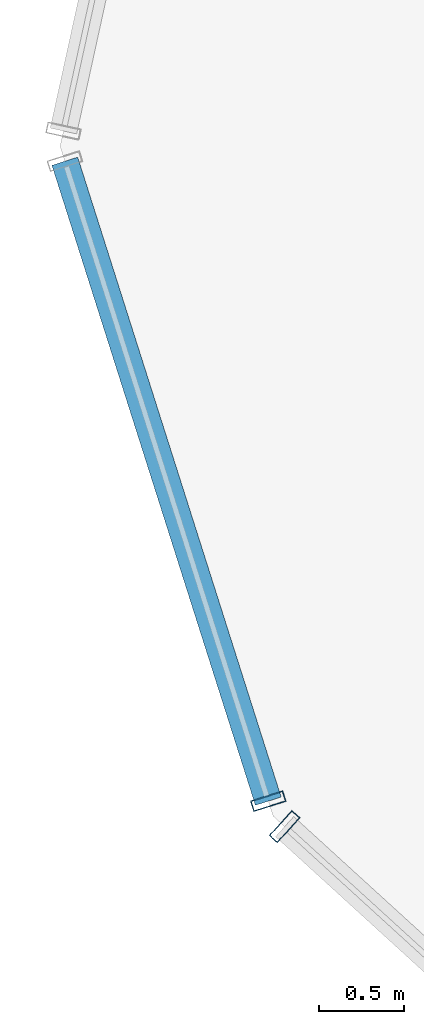
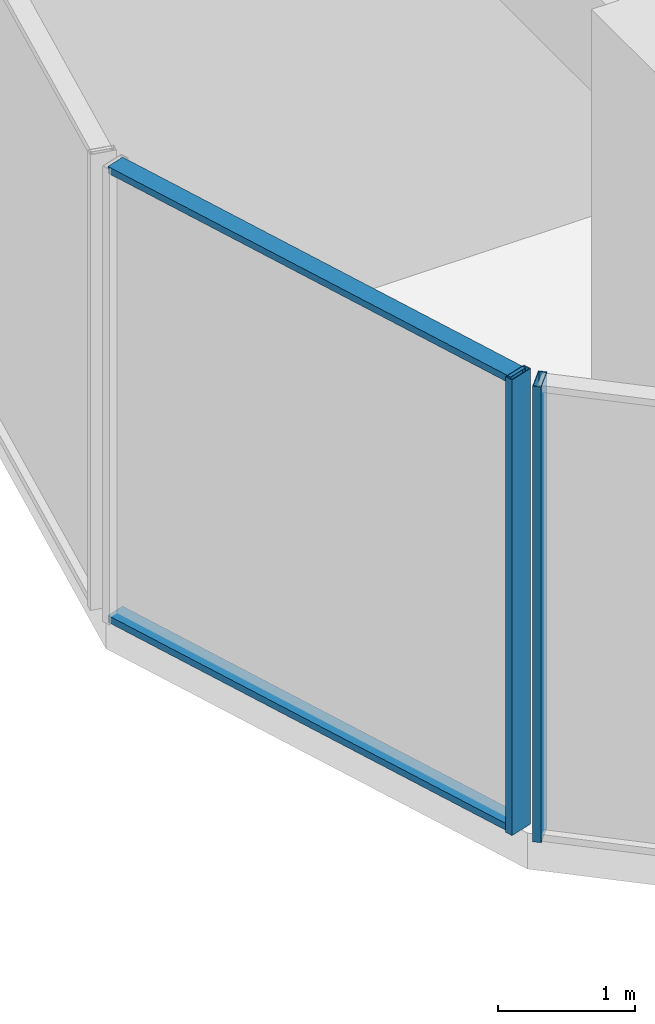
# One storey, part 5 of 28: 4 members, 2 elements without a shape of their own.
"""IFC4 building model written with IfcOpenShell, lengths in metres."""

import ifcopenshell
import ifcopenshell.guid

model = None  # the IFC model being written
_history = None  # IfcOwnerHistory: only IFC2X3 demands one
_inside = {}  # id of a spatial element -> (the spatial element, [elements in it])
_under = {}  # id of a project, library or spatial element -> (it, [spatial elements below it])
_declared = {}  # id of a project -> (the project, [libraries it declares])
_typed = {}  # id of a type object -> (the type object, [elements of that type])
_made_of = {}  # id of a material, layer set ... -> (it, [elements and type objects made of it])


def new_model(schema):
    """Start an empty IFC model of exactly this schema.

    Asked for "IFC4X3", IfcOpenShell would pick the latest addendum, in which some entities
    have other attributes; the version numbers below select the first issue.
    IFC2X3 requires an IfcOwnerHistory on every rooted entity: one is made here for all.
    """
    global model, _history
    if schema == "IFC4X3":
        model = ifcopenshell.file(schema_version=(4, 3, 0, 0))
    else:
        model = ifcopenshell.file(schema=schema)
    _inside.clear()
    _under.clear()
    _declared.clear()
    _typed.clear()
    _made_of.clear()
    _history = None
    if model.schema == "IFC2X3":
        org = make("IfcOrganization", Name="unknown")
        user = make(
            "IfcPersonAndOrganization",
            ThePerson=make("IfcPerson", FamilyName="unknown"),
            TheOrganization=org,
        )
        app = make(
            "IfcApplication",
            ApplicationDeveloper=org,
            Version="unknown",
            ApplicationFullName="unknown",
            ApplicationIdentifier="unknown",
        )
        _history = make(
            "IfcOwnerHistory",
            OwningUser=user,
            OwningApplication=app,
            ChangeAction="ADDED",
            CreationDate=0,
        )
    return model


def make(cls, **values):
    """One entity of the class cls with the attributes given. An attribute that is None is left unset."""
    return model.create_entity(
        cls, **{name: value for name, value in values.items() if value is not None}
    )


def rooted(cls, **values):
    """An entity with a GlobalId (a new one), such as an element, a storey or a relation."""
    return make(cls, GlobalId=ifcopenshell.guid.new(), OwnerHistory=_history, **values)


def si_unit(unit_type, name, prefix=None):
    """IfcSIUnit, for example si_unit("LENGTHUNIT", "METRE", prefix="MILLI")."""
    return make("IfcSIUnit", UnitType=unit_type, Prefix=prefix, Name=name)


def assignment(units):
    """IfcUnitAssignment: the units of a project."""
    return None if units is None else make("IfcUnitAssignment", Units=units)


def point(xyz):
    """IfcCartesianPoint."""
    return None if xyz is None else make("IfcCartesianPoint", Coordinates=xyz)


def direction(xyz):
    """IfcDirection."""
    return None if xyz is None else make("IfcDirection", DirectionRatios=xyz)


def frame(location, z_axis=None, x_axis=None):
    """IfcAxis2Placement3D, a coordinate frame: its origin and axes. An axis left out is left unset."""
    return make(
        "IfcAxis2Placement3D",
        Location=point(location),
        Axis=direction(z_axis),
        RefDirection=direction(x_axis),
    )


def frame_2d(location, x_axis=None):
    """IfcAxis2Placement2D, a coordinate frame in the plane: its origin and x axis."""
    return make(
        "IfcAxis2Placement2D", Location=point(location), RefDirection=direction(x_axis)
    )


def origin():
    """The frame at (0, 0, 0) with its axes left unset."""
    return frame((0.0, 0.0, 0.0))


def origin_2d():
    """The frame at (0, 0) in the plane with its x axis left unset."""
    return frame_2d((0.0, 0.0))


def place(relative_to, where):
    """IfcLocalPlacement: puts the frame where relative to a parent placement (None: the world)."""
    return make(
        "IfcLocalPlacement", PlacementRelTo=relative_to, RelativePlacement=where
    )


def context(
    kind, dimensions, precision=None, world=None, true_north=None, identifier=None
):
    """IfcGeometricRepresentationContext, for example the 3D "Model" context."""
    return make(
        "IfcGeometricRepresentationContext",
        ContextIdentifier=identifier,
        ContextType=kind,
        CoordinateSpaceDimension=dimensions,
        Precision=precision,
        WorldCoordinateSystem=world,
        TrueNorth=true_north,
    )


def subcontext(parent, identifier, kind, view, scale=None):
    """IfcGeometricRepresentationSubContext, for example "Body" below "Model"."""
    return make(
        "IfcGeometricRepresentationSubContext",
        ContextIdentifier=identifier,
        ContextType=kind,
        ParentContext=parent,
        TargetScale=scale,
        TargetView=view,
    )


def project(units=None, contexts=None):
    """IfcProject with its units and contexts."""
    return rooted(
        "IfcProject",
        Name="project",
        RepresentationContexts=contexts,
        UnitsInContext=assignment(units),
    )


def spatial(cls, under=None, at=None, **own):
    """A site, building, storey or space (cls), placed at a placement, below another one or the project."""
    s = rooted(cls, ObjectPlacement=at, **own)
    if under is not None:
        _under.setdefault(under.id(), (under, []))[1].append(s)
    return s


def profile(cls, at=None, kind="AREA", **sizes):
    """A parametric profile (cls). Its sizes go by their IFC names, for example OverallWidth=200.0."""
    return make(cls, ProfileType=kind, Position=at, **sizes)


def hollow_rectangle(**sizes):
    """IfcRectangleHollowProfileDef."""
    return profile("IfcRectangleHollowProfileDef", **sizes)


def extrude(swept, where, along, depth):
    """IfcExtrudedAreaSolid: the profile swept, set in the frame where, extruded along a direction by depth."""
    return make(
        "IfcExtrudedAreaSolid",
        SweptArea=swept,
        Position=where,
        ExtrudedDirection=direction(along),
        Depth=depth,
    )


def shape(context_of_items, identifier, shape_type, items):
    """IfcShapeRepresentation: the items that make up one representation, for example the "Body"."""
    return make(
        "IfcShapeRepresentation",
        ContextOfItems=context_of_items,
        RepresentationIdentifier=identifier,
        RepresentationType=shape_type,
        Items=items,
    )


def source(mapping_origin, context_of_items, identifier, shape_type, items):
    """IfcRepresentationMap: a shape defined once, which mapped items show again and again."""
    return make(
        "IfcRepresentationMap",
        MappingOrigin=mapping_origin,
        MappedRepresentation=shape(context_of_items, identifier, shape_type, items),
    )


def transform(
    local_origin,
    x_axis=None,
    y_axis=None,
    z_axis=None,
    scale=None,
    scale2=None,
    scale3=None,
    uniform=True,
):
    """IfcCartesianTransformationOperator3D, or its non-uniform kind. x_axis, y_axis, z_axis: its Axis1, 2, 3."""
    if uniform:
        return make(
            "IfcCartesianTransformationOperator3D",
            Axis1=direction(x_axis),
            Axis2=direction(y_axis),
            LocalOrigin=point(local_origin),
            Scale=scale,
            Axis3=direction(z_axis),
        )
    return make(
        "IfcCartesianTransformationOperator3DnonUniform",
        Axis1=direction(x_axis),
        Axis2=direction(y_axis),
        LocalOrigin=point(local_origin),
        Scale=scale,
        Axis3=direction(z_axis),
        Scale2=scale2,
        Scale3=scale3,
    )


def mapped(mapping_source, mapping_target):
    """IfcMappedItem: shows the shape of a source again, moved by a transform."""
    return make(
        "IfcMappedItem", MappingSource=mapping_source, MappingTarget=mapping_target
    )


def material(Name=None, Category=None):
    """IfcMaterial."""
    return make("IfcMaterial", Name=Name, Category=Category)


def layer(
    of_material, thickness, ventilated=None, Name=None, Category=None, Priority=None
):
    """IfcMaterialLayer: one layer of a wall or slab, of a material (None: an air gap)."""
    return make(
        "IfcMaterialLayer",
        Material=of_material,
        LayerThickness=thickness,
        IsVentilated=ventilated,
        Name=Name,
        Category=Category,
        Priority=Priority,
    )


def layer_set(layers, Name=None):
    """IfcMaterialLayerSet."""
    return make("IfcMaterialLayerSet", MaterialLayers=layers, LayerSetName=Name)


def material_profile(
    of_material, cross_section, Name=None, Category=None, Priority=None
):
    """IfcMaterialProfile: a cross section and its material."""
    return make(
        "IfcMaterialProfile",
        Name=Name,
        Material=of_material,
        Profile=cross_section,
        Priority=Priority,
        Category=Category,
    )


def profile_set(profiles, Name=None, composite=None):
    """IfcMaterialProfileSet."""
    return make(
        "IfcMaterialProfileSet",
        Name=Name,
        MaterialProfiles=profiles,
        CompositeProfile=composite,
    )


def made_of(thing, what):
    """Note that an element or type object is made of a material, layer set ...; save() writes the relation."""
    if what is not None:
        _made_of.setdefault(what.id(), (what, []))[1].append(thing)
    return thing


def type_object(cls, material=None, **own):
    """A type object (cls), such as IfcWallType, which elements share."""
    return made_of(rooted(cls, **own), material)


def element(
    cls,
    number,
    at=None,
    inside=None,
    cuts=None,
    type_object=None,
    material=None,
    context=None,
    identifier="Body",
    shape_type=None,
    held_by="IfcProductDefinitionShape",
    body=None,
    shapes=None,
    **own,
):
    """One element of the class cls, such as IfcWall. Its Tag is "e" and its number.

    at: its placement. inside: the storey or other place that contains it. cuts: it is an
    opening in that element (IfcRelVoidsElement). A single representation is given by context,
    identifier, shape_type and body (its items); several are given by shapes. held_by: the class
    of the entity that holds the representations. save() writes the other relations.
    """
    e = rooted(cls, Tag="e%d" % number, ObjectPlacement=at, **own)
    if body is not None:
        shapes = [shape(context, identifier, shape_type, body)]
    if shapes is not None:
        e.Representation = make(held_by, Representations=shapes)
    if inside is not None:
        _inside.setdefault(inside.id(), (inside, []))[1].append(e)
    if cuts is not None:
        rooted(
            "IfcRelVoidsElement", RelatingBuildingElement=cuts, RelatedOpeningElement=e
        )
    if type_object is not None:
        _typed.setdefault(type_object.id(), (type_object, []))[1].append(e)
    return made_of(e, material)


def aggregate(whole, parts):
    """IfcRelAggregates: a whole, such as a stair, and the parts it consists of."""
    return rooted("IfcRelAggregates", RelatingObject=whole, RelatedObjects=parts)


def save(model, path):
    """Write the relations noted so far, then the file.

    IfcRelAggregates (storeys below a building ...), IfcRelContainedInSpatialStructure (elements
    in a storey), IfcRelDefinesByType, IfcRelAssociatesMaterial and IfcRelDeclares: one each for
    every whole, place, type object, material and project.
    """
    for whole, parts in _under.values():
        aggregate(whole, parts)
    for where, things in _inside.values():
        rooted(
            "IfcRelContainedInSpatialStructure",
            RelatedElements=things,
            RelatingStructure=where,
        )
    for kind, things in _typed.values():
        rooted("IfcRelDefinesByType", RelatedObjects=things, RelatingType=kind)
    for what, things in _made_of.values():
        rooted("IfcRelAssociatesMaterial", RelatedObjects=things, RelatingMaterial=what)
    for by, libraries in _declared.values():
        rooted("IfcRelDeclares", RelatingContext=by, RelatedDefinitions=libraries)
    model.write(path)


model = new_model("IFC4")

# Units and contexts
model_context = context("Model", 3, precision=1e-05, world=origin(), true_north=direction((0.0, 1.0)))
body_context = subcontext(model_context, "Body", "Model", "MODEL_VIEW")
ifc_project = project(units=[si_unit("LENGTHUNIT", "METRE"), si_unit("AREAUNIT", "SQUARE_METRE"), si_unit("VOLUMEUNIT", "CUBIC_METRE"), si_unit("PLANEANGLEUNIT", "RADIAN"), si_unit("MASSUNIT", "GRAM", prefix="KILO")], contexts=[model_context])

# Site, building, storey
site_placement = place(None, origin())
site = spatial("IfcSite", under=ifc_project, at=site_placement, CompositionType="ELEMENT")
building_placement = place(site_placement, origin())
building = spatial("IfcBuilding", under=site, at=building_placement, Name="Veraguas Prism Commons", CompositionType="ELEMENT")
storey_placement = place(building_placement, frame((0.0, 0.0, 85.14990234375)))
storey = spatial("IfcBuildingStorey", under=building, at=storey_placement, Name="L23", CompositionType="ELEMENT", Elevation=85.14990234375)

# Curtain wall, member
ifc_material = material(Name="Anodised aluminium EN AW-6063 T6", Category="aluminium")
ifc_layer = layer(ifc_material, 0.199951171875, Name="Sky Lobby and Pool Acoustic Curtain Wall", Category="aluminium")
ifc_layer_set = layer_set([ifc_layer], Name="Anodised aluminium EN AW-6063 T6")
curtain_wall_type = type_object("IfcCurtainWallType", Name="Sky Lobby and Pool Acoustic Curtain Wall", PredefinedType="NOTDEFINED", material=ifc_layer_set)
curtain_wall_1_placement = place(storey_placement, origin())
curtain_wall_1 = element("IfcCurtainWall", 1, at=curtain_wall_1_placement, inside=storey, type_object=curtain_wall_type, Name="Tower Facade Curtain Wall L23-F4", PredefinedType="NOTDEFINED")
ifc_material_profile_1 = material_profile(ifc_material, hollow_rectangle(XDim=0.06494140625, YDim=0.199951171875, WallThickness=0.00390625, at=origin_2d()), Name="AL65X200X4")
ifc_profile_set_1 = profile_set([ifc_material_profile_1], Name="Anodised aluminium EN AW-6063 T6")
member_type_1 = type_object("IfcMemberType", Name="Curtain Wall Mullion Heavy AL 65x200x4", PredefinedType="MULLION", material=ifc_profile_set_1)
shared_shape_1 = source(origin(), body_context, "Body", "SweptSolid", [
    extrude(hollow_rectangle(XDim=0.06494140625, YDim=0.199951171875, WallThickness=0.00390625, at=origin_2d()), origin(), (0.0, 0.0, 1.0), 4.050048828125),
])
member_1_placement = place(storey_placement, frame((4.731689453125, 15.60986328125, 0.0), z_axis=(0.0, 0.0, 1.0), x_axis=(0.738924736523, -0.673787973887, 0.0)))
member_1 = element("IfcMember", 2, at=member_1_placement, type_object=member_type_1, Name="CW-SKY Mullion 1", PredefinedType="MULLION", context=body_context, shape_type="MappedRepresentation", body=[
    mapped(shared_shape_1, transform((0.0, 0.0, 0.0), scale=1.0)),
])
aggregate(curtain_wall_1, [member_1])

# Curtain wall, members
curtain_wall_2_placement = place(storey_placement, origin())
curtain_wall_2 = element("IfcCurtainWall", 3, at=curtain_wall_2_placement, inside=storey, type_object=curtain_wall_type, Name="Chamfer Curtain Wall L23-C4", PredefinedType="NOTDEFINED")
member_2_placement = place(storey_placement, frame((4.63525390625, 15.76025390625, 0.0), z_axis=(0.0, 0.0, 1.0), x_axis=(0.303023626771, -0.95298304372, 0.0)))
member_2 = element("IfcMember", 4, at=member_2_placement, type_object=member_type_1, Name="CW-SKY Mullion 2", PredefinedType="MULLION", context=body_context, shape_type="MappedRepresentation", body=[
    mapped(shared_shape_1, transform((0.0, 0.0, 0.0), scale=1.0)),
])
ifc_material_profile_2 = material_profile(ifc_material, hollow_rectangle(XDim=0.06005859375, YDim=0.159912109375, WallThickness=0.0029296875, at=origin_2d()), Name="AL60X160X3")
ifc_profile_set_2 = profile_set([ifc_material_profile_2], Name="Anodised aluminium EN AW-6063 T6")
member_type_2 = type_object("IfcMemberType", Name="Curtain Wall Transom Heavy AL 60x160x3", PredefinedType="USERDEFINED", material=ifc_profile_set_2)
shared_shape_2 = source(origin(), body_context, "Body", "SweptSolid", [
    extrude(hollow_rectangle(XDim=0.06005859375, YDim=0.159912109375, WallThickness=0.0029296875, at=origin_2d()), origin(), (0.0, 0.0, 1.0), 3.968017578125),
])
member_3_placement = place(storey_placement, frame((3.432861328125, 19.541748046875, 0.030029296875), z_axis=(0.303018263845, -0.952984748974, 0.0), x_axis=(0.0, 0.0, 1.0)))
member_3 = element("IfcMember", 5, at=member_3_placement, type_object=member_type_2, Name="CW-SKY Transom 1", ObjectType="TRANSOM", PredefinedType="USERDEFINED", context=body_context, shape_type="MappedRepresentation", body=[
    mapped(shared_shape_2, transform((0.0, 0.0, 0.0), scale=1.0)),
])
member_4_placement = place(storey_placement, frame((3.432861328125, 19.541748046875, 4.02001953125), z_axis=(0.303018263845, -0.952984748974, 0.0), x_axis=(0.0, 0.0, 1.0)))
member_4 = element("IfcMember", 6, at=member_4_placement, type_object=member_type_2, Name="CW-SKY Transom 2", ObjectType="TRANSOM", PredefinedType="USERDEFINED", context=body_context, shape_type="MappedRepresentation", body=[
    mapped(shared_shape_2, transform((0.0, 0.0, 0.0), scale=1.0)),
])
aggregate(curtain_wall_2, [member_2, member_3, member_4])

save(model, "model.ifc")
